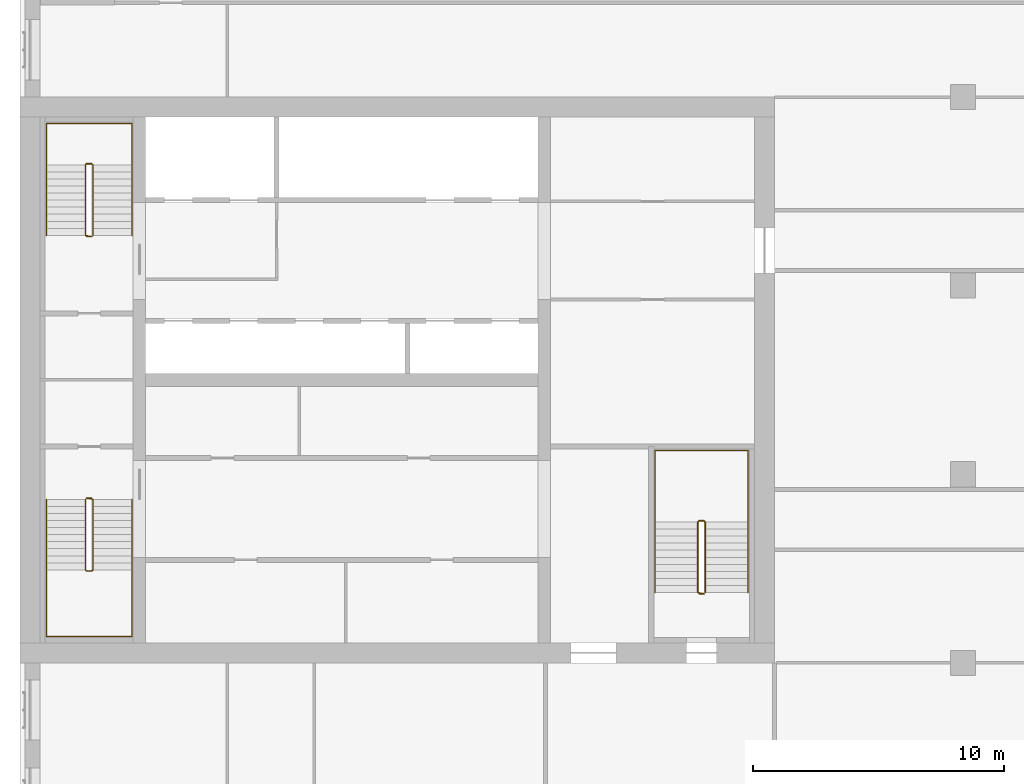
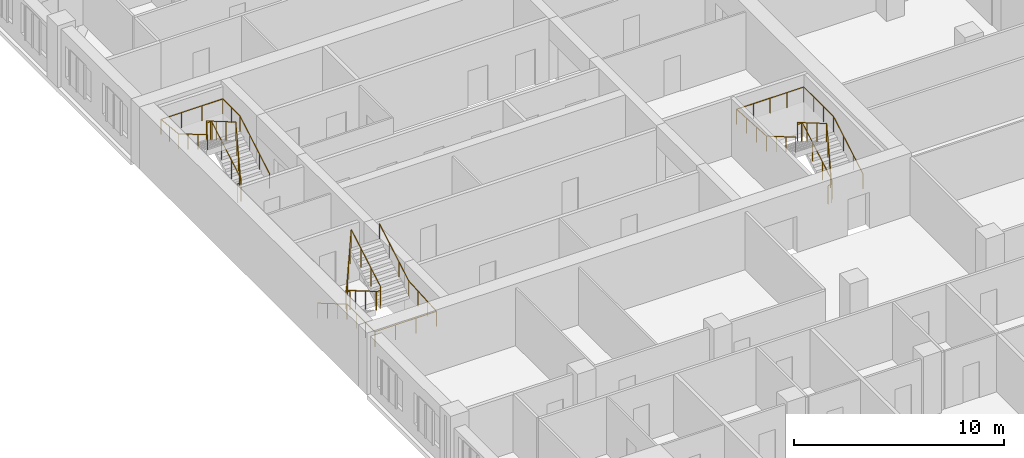
# One storey, part 14 of 14: 6 railings.
"""IFC4 building model written with IfcOpenShell, lengths in metres."""

from ifc_helpers import new_model, si_unit, direction, frame, origin, origin_2d, place, context, subcontext, project, spatial, circle, extrude, material, type_object, element, save


model = new_model("IFC4")

# Units and contexts
model_context = context("Model", 3, precision=1e-05, world=origin(), true_north=direction((0.0, 1.0)))
body_context = subcontext(model_context, "Body", "Model", "MODEL_VIEW")
ifc_project = project(units=[si_unit("LENGTHUNIT", "METRE"), si_unit("AREAUNIT", "SQUARE_METRE"), si_unit("VOLUMEUNIT", "CUBIC_METRE"), si_unit("PLANEANGLEUNIT", "RADIAN"), si_unit("MASSUNIT", "GRAM", prefix="KILO")], contexts=[model_context])

# Site, building, storey
site_placement = place(None, origin())
site = spatial("IfcSite", under=ifc_project, at=site_placement, CompositionType="ELEMENT")
building_placement = place(site_placement, origin())
building = spatial("IfcBuilding", under=site, at=building_placement, Name="Tamorin Gate", CompositionType="ELEMENT")
storey_placement = place(building_placement, frame((0.0, 0.0, 148.199951171875)))
storey = spatial("IfcBuildingStorey", under=building, at=storey_placement, Name="L36", CompositionType="ELEMENT", Elevation=148.199951171875)

# Railings
ifc_material_1 = material(Name="Painted steel balustrade", Category="steel")
railing_type_1 = type_object("IfcRailingType", Name="Stair guard 1100", PredefinedType="GUARDRAIL", material=ifc_material_1)
railing_1_placement = place(storey_placement, frame((32.60009765625, 66.5, 0.16357421875)))
element("IfcRailing", 1, at=railing_1_placement, inside=storey, type_object=railing_type_1, Name="L36 ST1 stair guard 1", PredefinedType="GUARDRAIL", context=body_context, shape_type="SweptSolid", body=[
    extrude(circle(Radius=0.02392578125, at=origin_2d()), frame((0.0, 0.0, 1.076171875), z_axis=(0.0, -0.863360870873, 0.504586966384), x_axis=(1.0, 0.0, 0.0)), (0.0, 0.0, 1.0), 3.2431640625),
    extrude(circle(Radius=0.02392578125, at=origin_2d()), frame((0.0, -2.800048828125, 2.71240234375), z_axis=(0.705375805398, -0.708833529934, 0.0), x_axis=(0.708833529934, 0.705375805398, 0.0)), (0.0, 0.0, 1.0), 0.070556640625),
    extrude(circle(Radius=0.02392578125, at=origin_2d()), frame((0.0498046875, -2.85009765625, 2.71240234375), z_axis=(1.0, 0.0, 0.0), x_axis=(0.0, 1.0, 0.0)), (0.0, 0.0, 1.0), 0.2001953125),
    extrude(circle(Radius=0.02392578125, at=origin_2d()), frame((0.25, -2.85009765625, 2.71240234375), z_axis=(0.279546231943, 0.280916556609, 0.91811752648), x_axis=(-0.708833529934, 0.705375805398, 0.0)), (0.0, 0.0, 1.0), 0.17822265625),
    extrude(circle(Radius=0.02392578125, at=origin_2d()), frame((0.2998046875, -2.800048828125, 2.8759765625), z_axis=(0.0, 0.863360870873, 0.504586966384), x_axis=(-1.0, 0.0, 0.0)), (0.0, 0.0, 1.0), 3.2431640625),
    extrude(circle(Radius=0.02392578125, at=origin_2d()), frame((0.2998046875, 0.0, 4.5126953125), z_axis=(-0.069269067181, 0.013867342551, -0.997501625634), x_axis=(-0.196300278283, -0.98054382908, 0.0)), (0.0, 0.0, 1.0), 3.609130859375),
    extrude(circle(Radius=0.02392578125, at=origin_2d()), frame((0.0498046875, 0.050048828125, 0.91259765625), z_axis=(1.0, 0.0, 0.0), x_axis=(0.0, 1.0, 0.0)), (0.0, 0.0, 1.0), 0.2001953125),
    extrude(circle(Radius=0.02099609375, at=origin_2d()), origin(), (0.0, 0.0, 1.0), 1.052001953125),
    extrude(circle(Radius=0.02099609375, at=origin_2d()), frame((0.0, -0.933349609375, 0.54541015625)), (0.0, 0.0, 1.0), 1.052001953125),
    extrude(circle(Radius=0.02099609375, at=origin_2d()), frame((0.0, -1.86669921875, 1.091064453125)), (0.0, 0.0, 1.0), 1.052001953125),
    extrude(circle(Radius=0.02099609375, at=origin_2d()), frame((0.0, -2.800048828125, 1.636474609375)), (0.0, 0.0, 1.0), 1.052001953125),
    extrude(circle(Radius=0.02099609375, at=origin_2d()), frame((0.0498046875, -2.85009765625, 1.636474609375)), (0.0, 0.0, 1.0), 1.052001953125),
    extrude(circle(Radius=0.02099609375, at=origin_2d()), frame((0.25, -2.85009765625, 1.636474609375)), (0.0, 0.0, 1.0), 1.052001953125),
    extrude(circle(Radius=0.02099609375, at=origin_2d()), frame((0.2998046875, -2.800048828125, 1.800048828125)), (0.0, 0.0, 1.0), 1.052001953125),
    extrude(circle(Radius=0.02099609375, at=origin_2d()), frame((0.2998046875, -1.86669921875, 2.345458984375)), (0.0, 0.0, 1.0), 1.052001953125),
    extrude(circle(Radius=0.02099609375, at=origin_2d()), frame((0.2998046875, -0.933349609375, 2.89111328125)), (0.0, 0.0, 1.0), 1.052001953125),
    extrude(circle(Radius=0.02099609375, at=origin_2d()), frame((0.2998046875, 0.0, 3.4365234375)), (0.0, 0.0, 1.0), 1.052001953125),
    extrude(circle(Radius=0.02099609375, at=origin_2d()), frame((0.2373046875, 0.012451171875, 2.53662109375)), (0.0, 0.0, 1.0), 1.052001953125),
    extrude(circle(Radius=0.02099609375, at=origin_2d()), frame((0.1748046875, 0.02490234375, 1.636474609375)), (0.0, 0.0, 1.0), 1.052001953125),
    extrude(circle(Radius=0.02099609375, at=origin_2d()), frame((0.1123046875, 0.03759765625, 0.736328125)), (0.0, 0.0, 1.0), 1.052001953125),
    extrude(circle(Radius=0.02099609375, at=origin_2d()), frame((0.0498046875, 0.050048828125, -0.16357421875)), (0.0, 0.0, 1.0), 1.052001953125),
    extrude(circle(Radius=0.02099609375, at=origin_2d()), frame((0.25, 0.050048828125, -0.16357421875)), (0.0, 0.0, 1.0), 1.052001953125),
])
railing_2_placement = place(storey_placement, frame((32.89990234375, 77.0, 0.16357421875)))
element("IfcRailing", 2, at=railing_2_placement, inside=storey, type_object=railing_type_1, Name="L36 ST2 stair guard 1", PredefinedType="GUARDRAIL", context=body_context, shape_type="SweptSolid", body=[
    extrude(circle(Radius=0.02392578125, at=origin_2d()), frame((0.0, 0.0, 1.076171875), z_axis=(0.0, 0.863360870873, 0.504586966384), x_axis=(-1.0, 0.0, 0.0)), (0.0, 0.0, 1.0), 3.2431640625),
    extrude(circle(Radius=0.02392578125, at=origin_2d()), frame((0.0, 2.800048828125, 2.71240234375), z_axis=(-0.705375805398, 0.708833529934, 0.0), x_axis=(-0.708833529934, -0.705375805398, 0.0)), (0.0, 0.0, 1.0), 0.070556640625),
    extrude(circle(Radius=0.02392578125, at=origin_2d()), frame((-0.0498046875, 2.85009765625, 2.71240234375), z_axis=(-1.0, 0.0, 0.0), x_axis=(0.0, -1.0, 0.0)), (0.0, 0.0, 1.0), 0.2001953125),
    extrude(circle(Radius=0.02392578125, at=origin_2d()), frame((-0.25, 2.85009765625, 2.71240234375), z_axis=(-0.279546231943, -0.280916556609, 0.91811752648), x_axis=(0.708833529934, -0.705375805398, 0.0)), (0.0, 0.0, 1.0), 0.17822265625),
    extrude(circle(Radius=0.02392578125, at=origin_2d()), frame((-0.2998046875, 2.800048828125, 2.8759765625), z_axis=(0.0, -0.863360870873, 0.504586966384), x_axis=(1.0, 0.0, 0.0)), (0.0, 0.0, 1.0), 3.2431640625),
    extrude(circle(Radius=0.02392578125, at=origin_2d()), frame((-0.2998046875, 0.0, 4.5126953125), z_axis=(0.069269067181, -0.013867342551, -0.997501625634), x_axis=(0.196300278283, 0.98054382908, 0.0)), (0.0, 0.0, 1.0), 3.609130859375),
    extrude(circle(Radius=0.02392578125, at=origin_2d()), frame((-0.0498046875, -0.050048828125, 0.91259765625), z_axis=(-1.0, 0.0, 0.0), x_axis=(0.0, -1.0, 0.0)), (0.0, 0.0, 1.0), 0.2001953125),
    extrude(circle(Radius=0.02099609375, at=origin_2d()), origin(), (0.0, 0.0, 1.0), 1.052001953125),
    extrude(circle(Radius=0.02099609375, at=origin_2d()), frame((0.0, 0.933349609375, 0.54541015625)), (0.0, 0.0, 1.0), 1.052001953125),
    extrude(circle(Radius=0.02099609375, at=origin_2d()), frame((0.0, 1.86669921875, 1.091064453125)), (0.0, 0.0, 1.0), 1.052001953125),
    extrude(circle(Radius=0.02099609375, at=origin_2d()), frame((0.0, 2.800048828125, 1.636474609375)), (0.0, 0.0, 1.0), 1.052001953125),
    extrude(circle(Radius=0.02099609375, at=origin_2d()), frame((-0.0498046875, 2.85009765625, 1.636474609375)), (0.0, 0.0, 1.0), 1.052001953125),
    extrude(circle(Radius=0.02099609375, at=origin_2d()), frame((-0.25, 2.85009765625, 1.636474609375)), (0.0, 0.0, 1.0), 1.052001953125),
    extrude(circle(Radius=0.02099609375, at=origin_2d()), frame((-0.2998046875, 2.800048828125, 1.800048828125)), (0.0, 0.0, 1.0), 1.052001953125),
    extrude(circle(Radius=0.02099609375, at=origin_2d()), frame((-0.2998046875, 1.86669921875, 2.345458984375)), (0.0, 0.0, 1.0), 1.052001953125),
    extrude(circle(Radius=0.02099609375, at=origin_2d()), frame((-0.2998046875, 0.933349609375, 2.89111328125)), (0.0, 0.0, 1.0), 1.052001953125),
    extrude(circle(Radius=0.02099609375, at=origin_2d()), frame((-0.2998046875, 0.0, 3.4365234375)), (0.0, 0.0, 1.0), 1.052001953125),
    extrude(circle(Radius=0.02099609375, at=origin_2d()), frame((-0.2373046875, -0.012451171875, 2.53662109375)), (0.0, 0.0, 1.0), 1.052001953125),
    extrude(circle(Radius=0.02099609375, at=origin_2d()), frame((-0.1748046875, -0.02490234375, 1.636474609375)), (0.0, 0.0, 1.0), 1.052001953125),
    extrude(circle(Radius=0.02099609375, at=origin_2d()), frame((-0.1123046875, -0.03759765625, 0.736328125)), (0.0, 0.0, 1.0), 1.052001953125),
    extrude(circle(Radius=0.02099609375, at=origin_2d()), frame((-0.0498046875, -0.050048828125, -0.16357421875)), (0.0, 0.0, 1.0), 1.052001953125),
    extrude(circle(Radius=0.02099609375, at=origin_2d()), frame((-0.25, -0.050048828125, -0.16357421875)), (0.0, 0.0, 1.0), 1.052001953125),
])
railing_3_placement = place(storey_placement, frame((57.25, 62.800048828125, 0.16357421875)))
element("IfcRailing", 3, at=railing_3_placement, inside=storey, type_object=railing_type_1, Name="L36 ST3 stair guard 1", PredefinedType="GUARDRAIL", context=body_context, shape_type="SweptSolid", body=[
    extrude(circle(Radius=0.02392578125, at=origin_2d()), frame((0.0, 0.0, 1.076171875), z_axis=(0.0, 0.863360870873, 0.504586966384), x_axis=(-1.0, 0.0, 0.0)), (0.0, 0.0, 1.0), 3.2431640625),
    extrude(circle(Radius=0.02392578125, at=origin_2d()), frame((0.0, 2.800048828125, 2.71240234375), z_axis=(-0.708833529934, 0.705375805398, 0.0), x_axis=(-0.705375805398, -0.708833529934, 0.0)), (0.0, 0.0, 1.0), 0.070556640625),
    extrude(circle(Radius=0.02392578125, at=origin_2d()), frame((-0.050048828125, 2.849853515625, 2.71240234375), z_axis=(-1.0, 0.0, 0.0), x_axis=(0.0, -1.0, 0.0)), (0.0, 0.0, 1.0), 0.199951171875),
    extrude(circle(Radius=0.02392578125, at=origin_2d()), frame((-0.25, 2.849853515625, 2.71240234375), z_axis=(-0.280916556609, -0.279546231943, 0.91811752648), x_axis=(0.705375805398, -0.708833529934, 0.0)), (0.0, 0.0, 1.0), 0.17822265625),
    extrude(circle(Radius=0.02392578125, at=origin_2d()), frame((-0.300048828125, 2.800048828125, 2.8759765625), z_axis=(0.0, -0.863360870873, 0.504586966384), x_axis=(1.0, 0.0, 0.0)), (0.0, 0.0, 1.0), 3.2431640625),
    extrude(circle(Radius=0.02392578125, at=origin_2d()), frame((-0.300048828125, 0.0, 4.5126953125), z_axis=(0.069269067181, -0.013867342551, -0.997501625634), x_axis=(0.196300278283, 0.98054382908, 0.0)), (0.0, 0.0, 1.0), 3.609130859375),
    extrude(circle(Radius=0.02392578125, at=origin_2d()), frame((-0.050048828125, -0.050048828125, 0.91259765625), z_axis=(-1.0, 0.0, 0.0), x_axis=(0.0, -1.0, 0.0)), (0.0, 0.0, 1.0), 0.199951171875),
    extrude(circle(Radius=0.02099609375, at=origin_2d()), origin(), (0.0, 0.0, 1.0), 1.052001953125),
    extrude(circle(Radius=0.02099609375, at=origin_2d()), frame((0.0, 0.933349609375, 0.54541015625)), (0.0, 0.0, 1.0), 1.052001953125),
    extrude(circle(Radius=0.02099609375, at=origin_2d()), frame((0.0, 1.86669921875, 1.091064453125)), (0.0, 0.0, 1.0), 1.052001953125),
    extrude(circle(Radius=0.02099609375, at=origin_2d()), frame((0.0, 2.800048828125, 1.636474609375)), (0.0, 0.0, 1.0), 1.052001953125),
    extrude(circle(Radius=0.02099609375, at=origin_2d()), frame((-0.050048828125, 2.849853515625, 1.636474609375)), (0.0, 0.0, 1.0), 1.052001953125),
    extrude(circle(Radius=0.02099609375, at=origin_2d()), frame((-0.25, 2.849853515625, 1.636474609375)), (0.0, 0.0, 1.0), 1.052001953125),
    extrude(circle(Radius=0.02099609375, at=origin_2d()), frame((-0.300048828125, 2.800048828125, 1.800048828125)), (0.0, 0.0, 1.0), 1.052001953125),
    extrude(circle(Radius=0.02099609375, at=origin_2d()), frame((-0.300048828125, 1.86669921875, 2.345458984375)), (0.0, 0.0, 1.0), 1.052001953125),
    extrude(circle(Radius=0.02099609375, at=origin_2d()), frame((-0.300048828125, 0.933349609375, 2.89111328125)), (0.0, 0.0, 1.0), 1.052001953125),
    extrude(circle(Radius=0.02099609375, at=origin_2d()), frame((-0.300048828125, 0.0, 3.4365234375)), (0.0, 0.0, 1.0), 1.052001953125),
    extrude(circle(Radius=0.02099609375, at=origin_2d()), frame((-0.237548828125, -0.012451171875, 2.53662109375)), (0.0, 0.0, 1.0), 1.052001953125),
    extrude(circle(Radius=0.02099609375, at=origin_2d()), frame((-0.175048828125, -0.02490234375, 1.636474609375)), (0.0, 0.0, 1.0), 1.052001953125),
    extrude(circle(Radius=0.02099609375, at=origin_2d()), frame((-0.112548828125, -0.03759765625, 0.736328125)), (0.0, 0.0, 1.0), 1.052001953125),
    extrude(circle(Radius=0.02099609375, at=origin_2d()), frame((-0.050048828125, -0.050048828125, -0.16357421875)), (0.0, 0.0, 1.0), 1.052001953125),
    extrude(circle(Radius=0.02099609375, at=origin_2d()), frame((-0.25, -0.050048828125, -0.16357421875)), (0.0, 0.0, 1.0), 1.052001953125),
])
ifc_material_2 = material(Name="Painted steel handrail", Category="steel")
railing_type_2 = type_object("IfcRailingType", Name="Stair handrail 900", PredefinedType="HANDRAIL", material=ifc_material_2)
railing_4_placement = place(storey_placement, frame((31.050048828125, 66.5, 0.16357421875)))
element("IfcRailing", 4, at=railing_4_placement, inside=storey, type_object=railing_type_2, Name="L36 ST1 stair handrail 1", PredefinedType="HANDRAIL", context=body_context, shape_type="SweptSolid", body=[
    extrude(circle(Radius=0.02392578125, at=origin_2d()), frame((0.0, 0.0, 0.8759765625), z_axis=(0.0, -0.863360870873, 0.504586966384), x_axis=(1.0, 0.0, 0.0)), (0.0, 0.0, 1.0), 3.2431640625),
    extrude(circle(Radius=0.02392578125, at=origin_2d()), frame((0.0, -2.800048828125, 2.51220703125), z_axis=(0.0, -1.0, 0.0), x_axis=(1.0, 0.0, 0.0)), (0.0, 0.0, 1.0), 2.64990234375),
    extrude(circle(Radius=0.02392578125, at=origin_2d()), frame((0.0, -5.449951171875, 2.51220703125), z_axis=(1.0, 0.0, 0.0), x_axis=(0.0, 1.0, 0.0)), (0.0, 0.0, 1.0), 3.39990234375),
    extrude(circle(Radius=0.02392578125, at=origin_2d()), frame((3.39990234375, -5.449951171875, 2.51220703125), z_axis=(0.0, 0.998100230056, 0.061611125312), x_axis=(-1.0, 0.0, 0.0)), (0.0, 0.0, 1.0), 2.655029296875),
    extrude(circle(Radius=0.02392578125, at=origin_2d()), frame((3.39990234375, -2.800048828125, 2.67578125), z_axis=(0.0, 0.863360870873, 0.504586966384), x_axis=(-1.0, 0.0, 0.0)), (0.0, 0.0, 1.0), 3.2431640625),
    extrude(circle(Radius=0.02099609375, at=origin_2d()), origin(), (0.0, 0.0, 1.0), 0.851806640625),
    extrude(circle(Radius=0.02099609375, at=origin_2d()), frame((0.0, -0.933349609375, 0.54541015625)), (0.0, 0.0, 1.0), 0.851806640625),
    extrude(circle(Radius=0.02099609375, at=origin_2d()), frame((0.0, -1.86669921875, 1.091064453125)), (0.0, 0.0, 1.0), 0.851806640625),
    extrude(circle(Radius=0.02099609375, at=origin_2d()), frame((0.0, -2.800048828125, 1.636474609375)), (0.0, 0.0, 1.0), 0.851806640625),
    extrude(circle(Radius=0.02099609375, at=origin_2d()), frame((0.0, -3.683349609375, 1.636474609375)), (0.0, 0.0, 1.0), 0.851806640625),
    extrude(circle(Radius=0.02099609375, at=origin_2d()), frame((0.0, -4.566650390625, 1.636474609375)), (0.0, 0.0, 1.0), 0.851806640625),
    extrude(circle(Radius=0.02099609375, at=origin_2d()), frame((0.0, -5.449951171875, 1.636474609375)), (0.0, 0.0, 1.0), 0.851806640625),
    extrude(circle(Radius=0.02099609375, at=origin_2d()), frame((1.13330078125, -5.449951171875, 1.636474609375)), (0.0, 0.0, 1.0), 0.851806640625),
    extrude(circle(Radius=0.02099609375, at=origin_2d()), frame((2.2666015625, -5.449951171875, 1.636474609375)), (0.0, 0.0, 1.0), 0.851806640625),
    extrude(circle(Radius=0.02099609375, at=origin_2d()), frame((3.39990234375, -5.449951171875, 1.636474609375)), (0.0, 0.0, 1.0), 0.851806640625),
    extrude(circle(Radius=0.02099609375, at=origin_2d()), frame((3.39990234375, -4.566650390625, 1.69091796875)), (0.0, 0.0, 1.0), 0.851806640625),
    extrude(circle(Radius=0.02099609375, at=origin_2d()), frame((3.39990234375, -3.683349609375, 1.74560546875)), (0.0, 0.0, 1.0), 0.851806640625),
    extrude(circle(Radius=0.02099609375, at=origin_2d()), frame((3.39990234375, -2.800048828125, 1.800048828125)), (0.0, 0.0, 1.0), 0.851806640625),
    extrude(circle(Radius=0.02099609375, at=origin_2d()), frame((3.39990234375, -1.86669921875, 2.345458984375)), (0.0, 0.0, 1.0), 0.851806640625),
    extrude(circle(Radius=0.02099609375, at=origin_2d()), frame((3.39990234375, -0.933349609375, 2.89111328125)), (0.0, 0.0, 1.0), 0.851806640625),
    extrude(circle(Radius=0.02099609375, at=origin_2d()), frame((3.39990234375, 0.0, 3.4365234375)), (0.0, 0.0, 1.0), 0.851806640625),
])
railing_5_placement = place(storey_placement, frame((34.449951171875, 77.0, 0.16357421875)))
element("IfcRailing", 5, at=railing_5_placement, inside=storey, type_object=railing_type_2, Name="L36 ST2 stair handrail 1", PredefinedType="HANDRAIL", context=body_context, shape_type="SweptSolid", body=[
    extrude(circle(Radius=0.02392578125, at=origin_2d()), frame((0.0, 0.0, 0.8759765625), z_axis=(0.0, 0.863360870873, 0.504586966384), x_axis=(-1.0, 0.0, 0.0)), (0.0, 0.0, 1.0), 3.2431640625),
    extrude(circle(Radius=0.02392578125, at=origin_2d()), frame((0.0, 2.800048828125, 2.51220703125), z_axis=(0.0, 1.0, 0.0), x_axis=(-1.0, 0.0, 0.0)), (0.0, 0.0, 1.0), 1.64990234375),
    extrude(circle(Radius=0.02392578125, at=origin_2d()), frame((0.0, 4.449951171875, 2.51220703125), z_axis=(-1.0, 0.0, 0.0), x_axis=(0.0, -1.0, 0.0)), (0.0, 0.0, 1.0), 3.39990234375),
    extrude(circle(Radius=0.02392578125, at=origin_2d()), frame((-3.39990234375, 4.449951171875, 2.51220703125), z_axis=(0.0, -0.995121390814, 0.098658084026), x_axis=(1.0, 0.0, 0.0)), (0.0, 0.0, 1.0), 1.657958984375),
    extrude(circle(Radius=0.02392578125, at=origin_2d()), frame((-3.39990234375, 2.800048828125, 2.67578125), z_axis=(0.0, -0.863360870873, 0.504586966384), x_axis=(1.0, 0.0, 0.0)), (0.0, 0.0, 1.0), 3.2431640625),
    extrude(circle(Radius=0.02099609375, at=origin_2d()), origin(), (0.0, 0.0, 1.0), 0.851806640625),
    extrude(circle(Radius=0.02099609375, at=origin_2d()), frame((0.0, 0.933349609375, 0.54541015625)), (0.0, 0.0, 1.0), 0.851806640625),
    extrude(circle(Radius=0.02099609375, at=origin_2d()), frame((0.0, 1.86669921875, 1.091064453125)), (0.0, 0.0, 1.0), 0.851806640625),
    extrude(circle(Radius=0.02099609375, at=origin_2d()), frame((0.0, 2.800048828125, 1.636474609375)), (0.0, 0.0, 1.0), 0.851806640625),
    extrude(circle(Radius=0.02099609375, at=origin_2d()), frame((0.0, 3.625, 1.636474609375)), (0.0, 0.0, 1.0), 0.851806640625),
    extrude(circle(Radius=0.02099609375, at=origin_2d()), frame((0.0, 4.449951171875, 1.636474609375)), (0.0, 0.0, 1.0), 0.851806640625),
    extrude(circle(Radius=0.02099609375, at=origin_2d()), frame((-1.13330078125, 4.449951171875, 1.636474609375)), (0.0, 0.0, 1.0), 0.851806640625),
    extrude(circle(Radius=0.02099609375, at=origin_2d()), frame((-2.2666015625, 4.449951171875, 1.636474609375)), (0.0, 0.0, 1.0), 0.851806640625),
    extrude(circle(Radius=0.02099609375, at=origin_2d()), frame((-3.39990234375, 4.449951171875, 1.636474609375)), (0.0, 0.0, 1.0), 0.851806640625),
    extrude(circle(Radius=0.02099609375, at=origin_2d()), frame((-3.39990234375, 3.625, 1.71826171875)), (0.0, 0.0, 1.0), 0.851806640625),
    extrude(circle(Radius=0.02099609375, at=origin_2d()), frame((-3.39990234375, 2.800048828125, 1.800048828125)), (0.0, 0.0, 1.0), 0.851806640625),
    extrude(circle(Radius=0.02099609375, at=origin_2d()), frame((-3.39990234375, 1.86669921875, 2.345458984375)), (0.0, 0.0, 1.0), 0.851806640625),
    extrude(circle(Radius=0.02099609375, at=origin_2d()), frame((-3.39990234375, 0.933349609375, 2.89111328125)), (0.0, 0.0, 1.0), 0.851806640625),
    extrude(circle(Radius=0.02099609375, at=origin_2d()), frame((-3.39990234375, 0.0, 3.4365234375)), (0.0, 0.0, 1.0), 0.851806640625),
])
railing_6_placement = place(storey_placement, frame((58.949951171875, 62.800048828125, 0.16357421875)))
element("IfcRailing", 6, at=railing_6_placement, inside=storey, type_object=railing_type_2, Name="L36 ST3 stair handrail 1", PredefinedType="HANDRAIL", context=body_context, shape_type="SweptSolid", body=[
    extrude(circle(Radius=0.02392578125, at=origin_2d()), frame((0.0, 0.0, 0.8759765625), z_axis=(0.0, 0.863360870873, 0.504586966384), x_axis=(-1.0, 0.0, 0.0)), (0.0, 0.0, 1.0), 3.2431640625),
    extrude(circle(Radius=0.02392578125, at=origin_2d()), frame((0.0, 2.800048828125, 2.51220703125), z_axis=(0.0, 1.0, 0.0), x_axis=(-1.0, 0.0, 0.0)), (0.0, 0.0, 1.0), 2.849853515625),
    extrude(circle(Radius=0.02392578125, at=origin_2d()), frame((0.0, 5.64990234375, 2.51220703125), z_axis=(-1.0, 0.0, 0.0), x_axis=(0.0, -1.0, 0.0)), (0.0, 0.0, 1.0), 3.699951171875),
    extrude(circle(Radius=0.02392578125, at=origin_2d()), frame((-3.699951171875, 5.64990234375, 2.51220703125), z_axis=(0.0, -0.998356827416, 0.057303098978), x_axis=(1.0, 0.0, 0.0)), (0.0, 0.0, 1.0), 2.8544921875),
    extrude(circle(Radius=0.02392578125, at=origin_2d()), frame((-3.699951171875, 2.800048828125, 2.67578125), z_axis=(0.0, -0.863360870873, 0.504586966384), x_axis=(1.0, 0.0, 0.0)), (0.0, 0.0, 1.0), 3.2431640625),
    extrude(circle(Radius=0.02099609375, at=origin_2d()), origin(), (0.0, 0.0, 1.0), 0.851806640625),
    extrude(circle(Radius=0.02099609375, at=origin_2d()), frame((0.0, 0.933349609375, 0.54541015625)), (0.0, 0.0, 1.0), 0.851806640625),
    extrude(circle(Radius=0.02099609375, at=origin_2d()), frame((0.0, 1.86669921875, 1.091064453125)), (0.0, 0.0, 1.0), 0.851806640625),
    extrude(circle(Radius=0.02099609375, at=origin_2d()), frame((0.0, 2.800048828125, 1.636474609375)), (0.0, 0.0, 1.0), 0.851806640625),
    extrude(circle(Radius=0.02099609375, at=origin_2d()), frame((0.0, 3.75, 1.636474609375)), (0.0, 0.0, 1.0), 0.851806640625),
    extrude(circle(Radius=0.02099609375, at=origin_2d()), frame((0.0, 4.699951171875, 1.636474609375)), (0.0, 0.0, 1.0), 0.851806640625),
    extrude(circle(Radius=0.02099609375, at=origin_2d()), frame((0.0, 5.64990234375, 1.636474609375)), (0.0, 0.0, 1.0), 0.851806640625),
    extrude(circle(Radius=0.02099609375, at=origin_2d()), frame((-0.925048828125, 5.64990234375, 1.636474609375)), (0.0, 0.0, 1.0), 0.851806640625),
    extrude(circle(Radius=0.02099609375, at=origin_2d()), frame((-1.85009765625, 5.64990234375, 1.636474609375)), (0.0, 0.0, 1.0), 0.851806640625),
    extrude(circle(Radius=0.02099609375, at=origin_2d()), frame((-2.77490234375, 5.64990234375, 1.636474609375)), (0.0, 0.0, 1.0), 0.851806640625),
    extrude(circle(Radius=0.02099609375, at=origin_2d()), frame((-3.699951171875, 5.64990234375, 1.636474609375)), (0.0, 0.0, 1.0), 0.851806640625),
    extrude(circle(Radius=0.02099609375, at=origin_2d()), frame((-3.699951171875, 4.699951171875, 1.69091796875)), (0.0, 0.0, 1.0), 0.851806640625),
    extrude(circle(Radius=0.02099609375, at=origin_2d()), frame((-3.699951171875, 3.75, 1.74560546875)), (0.0, 0.0, 1.0), 0.851806640625),
    extrude(circle(Radius=0.02099609375, at=origin_2d()), frame((-3.699951171875, 2.800048828125, 1.800048828125)), (0.0, 0.0, 1.0), 0.851806640625),
    extrude(circle(Radius=0.02099609375, at=origin_2d()), frame((-3.699951171875, 1.86669921875, 2.345458984375)), (0.0, 0.0, 1.0), 0.851806640625),
    extrude(circle(Radius=0.02099609375, at=origin_2d()), frame((-3.699951171875, 0.933349609375, 2.89111328125)), (0.0, 0.0, 1.0), 0.851806640625),
    extrude(circle(Radius=0.02099609375, at=origin_2d()), frame((-3.699951171875, 0.0, 3.4365234375)), (0.0, 0.0, 1.0), 0.851806640625),
])

save(model, "model.ifc")
